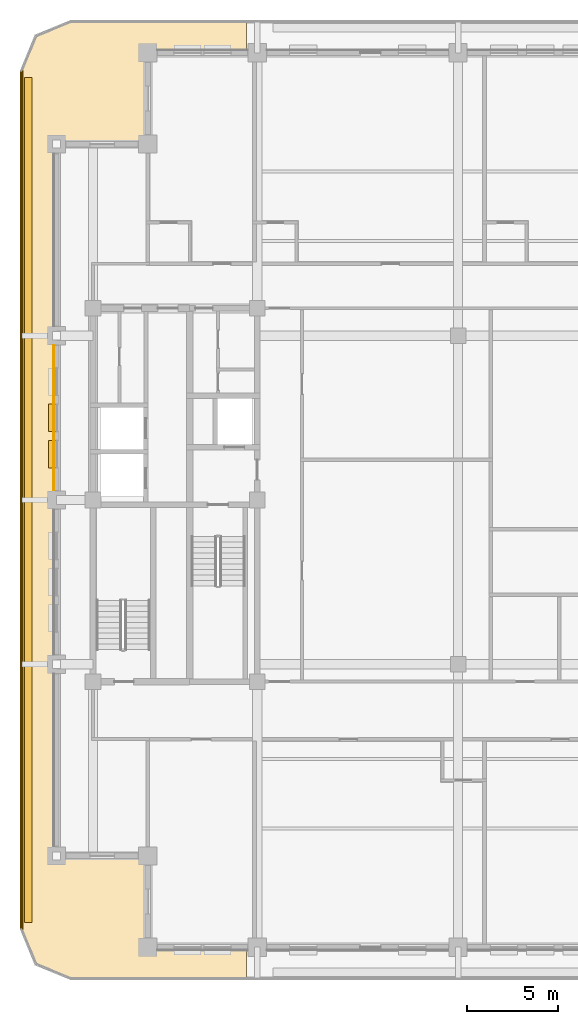
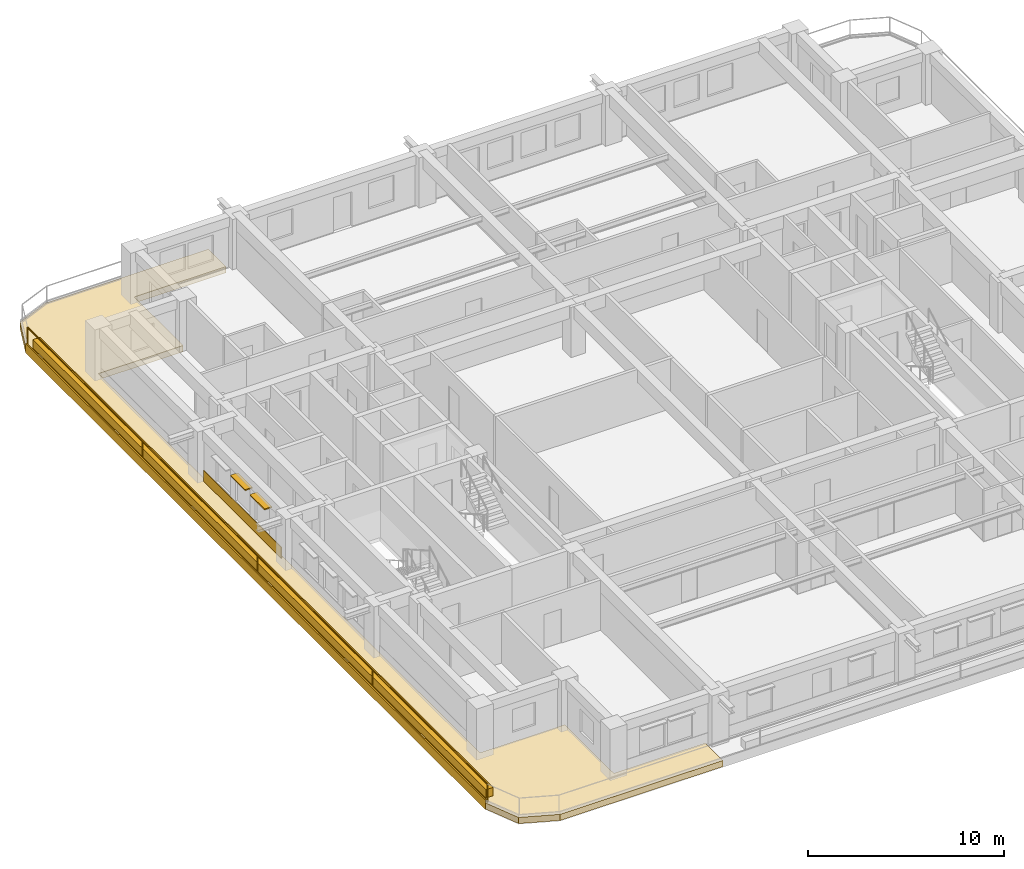
# One storey, part 10 of 14: 4 coverings, 2 shading devices, 1 railing.
"""IFC4 building model written with IfcOpenShell, lengths in metres."""

from ifc_helpers import new_model, si_unit, direction, frame, frame_2d, origin, origin_2d, place, context, subcontext, project, spatial, polyline, rectangle, outline, extrude, material, layer, layer_set, type_object, element, save


model = new_model("IFC4")

# Units and contexts
model_context = context("Model", 3, precision=1e-05, world=origin(), true_north=direction((0.0, 1.0)))
body_context = subcontext(model_context, "Body", "Model", "MODEL_VIEW")
ifc_project = project(units=[si_unit("LENGTHUNIT", "METRE"), si_unit("AREAUNIT", "SQUARE_METRE"), si_unit("VOLUMEUNIT", "CUBIC_METRE"), si_unit("PLANEANGLEUNIT", "RADIAN"), si_unit("MASSUNIT", "GRAM", prefix="KILO")], contexts=[model_context])

# Site, building, storey
site_placement = place(None, origin())
site = spatial("IfcSite", under=ifc_project, at=site_placement, CompositionType="ELEMENT")
building_placement = place(site_placement, origin())
building = spatial("IfcBuilding", under=site, at=building_placement, Name="Zulmaris Gate Convention Tower", CompositionType="ELEMENT")
storey_placement = place(building_placement, frame((0.0, 0.0, 162.659912109375)))
storey = spatial("IfcBuildingStorey", under=building, at=storey_placement, Name="L41", CompositionType="ELEMENT", Elevation=162.659912109375)

# Coverings
ifc_material_1 = material(Name="Precast concrete C40/50", Category="concrete")
ifc_layer_1 = layer(ifc_material_1, 0.0400390625, Name="Precast concrete C40/50")
ifc_layer_set_1 = layer_set([ifc_layer_1], Name="Precast concrete C40/50")
covering_type_1 = type_object("IfcCoveringType", Name="CLAD-SPANDREL-PRECAST", PredefinedType="CLADDING", material=ifc_layer_set_1)
covering_1_placement = place(storey_placement, frame((-22.14990234375, 8.469970703125, 0.0), z_axis=(0.0, 0.0, 1.0), x_axis=(0.0, -1.0, 0.0)))
element("IfcCovering", 1, at=covering_1_placement, inside=storey, type_object=covering_type_1, Name="CLD-L41-W-2_0", PredefinedType="CLADDING", context=body_context, shape_type="SweptSolid", body=[
    extrude(rectangle(XDim=7.93994140625, YDim=0.0400390625, at=frame_2d((3.969970703125, 0.0))), origin(), (0.0, 0.0, 1.0), 0.679931640625),
])
ifc_material_2 = material(Name="White Glazed Architectural Precast Concrete C40/50", Category="concrete")
ifc_layer_2 = layer(ifc_material_2, 0.239990234375, Name="White Glazed Architectural Precast Concrete C40/50")
ifc_layer_set_2 = layer_set([ifc_layer_2], Name="White Glazed Architectural Precast Concrete C40/50")
covering_type_2 = type_object("IfcCoveringType", Name="CLAD-TRAY-DECK", PredefinedType="CLADDING", material=ifc_layer_set_2)
covering_2_placement = place(storey_placement, frame((0.0, 0.0, -0.425048828125)))
element("IfcCovering", 2, at=covering_2_placement, inside=storey, type_object=covering_type_2, Name="L41 West Rounded-Fascia Planter Tray Deck", PredefinedType="CLADDING", context=body_context, shape_type="SweptSolid", body=[
    extrude(outline(polyline([(-24.0, 23.5), (-23.179931640625, 25.47998046875), (-21.199951171875, 26.300048828125), (-11.60205078125, 26.300048828125), (-11.60205078125, 24.5), (-17.0, 24.5), (-17.0, 19.5), (-22.0, 19.5), (-22.0, -19.5), (-17.0, -19.5), (-17.0, -24.5), (-11.60205078125, -24.5), (-11.60205078125, -26.300048828125), (-21.199951171875, -26.300048828125), (-23.179931640625, -25.47998046875), (-24.0, -23.5), (-24.0, 23.5)])), origin(), (0.0, 0.0, 1.0), 0.385009765625),
])
ifc_layer_3 = layer(ifc_material_2, 0.080078125, Name="White Glazed Architectural Precast Concrete C40/50")
ifc_layer_set_3 = layer_set([ifc_layer_3], Name="White Glazed Architectural Precast Concrete C40/50")
covering_type_3 = type_object("IfcCoveringType", Name="CLAD-TRAY-FASCIA", PredefinedType="CLADDING", material=ifc_layer_set_3)
covering_3_placement = place(storey_placement, frame((-23.9599609375, 23.5, -0.465087890625), z_axis=(0.0, 0.0, 1.0), x_axis=(0.0, -1.0, 0.0)))
element("IfcCovering", 3, at=covering_3_placement, inside=storey, type_object=covering_type_3, Name="FSC-L41-TR-11", PredefinedType="CLADDING", context=body_context, shape_type="SweptSolid", body=[
    extrude(rectangle(XDim=47.0, YDim=0.080078125, at=frame_2d((23.5, 0.0))), origin(), (0.0, 0.0, 1.0), 0.5849609375),
])
ifc_material_3 = material(Name="Botanical Green Glazed Precast Concrete C40/50", Category="concrete")
ifc_layer_4 = layer(ifc_material_3, 0.419921875, Name="Botanical Green Glazed Precast Concrete C40/50")
ifc_layer_set_4 = layer_set([ifc_layer_4], Name="Botanical Green Glazed Precast Concrete C40/50")
covering_type_4 = type_object("IfcCoveringType", Name="PLANTER-BOX-200", PredefinedType="CLADDING", material=ifc_layer_set_4)
covering_4_placement = place(storey_placement, frame((0.0, 0.0, -0.0400390625)))
element("IfcCovering", 4, at=covering_4_placement, inside=storey, type_object=covering_type_4, Name="L41 W Full-Length Balcony Tree Planter Trough", PredefinedType="CLADDING", context=body_context, shape_type="SweptSolid", body=[
    extrude(outline(polyline([(-23.760009765625, -23.14990234375), (-23.340087890625, -23.14990234375), (-23.340087890625, 23.14990234375), (-23.760009765625, 23.14990234375), (-23.760009765625, -23.14990234375)])), origin(), (0.0, 0.0, 1.0), 0.52001953125),
])

# Railing
ifc_material_4 = material(Name="Laminated Glass and Stainless Steel", Category="steel")
railing_type = type_object("IfcRailingType", Name="RL-BALC-1150", PredefinedType="BALUSTRADE", material=ifc_material_4)
railing_placement = place(storey_placement, frame((-23.8798828125, 23.5, -0.0400390625)))
element("IfcRailing", 5, at=railing_placement, inside=storey, type_object=railing_type, Name="RL-L41-BALC-W", PredefinedType="BALUSTRADE", context=body_context, shape_type="SweptSolid", body=[
    extrude(rectangle(XDim=0.048095703125, YDim=0.048095703125, at=origin_2d()), frame((0.0, 0.0, 1.1259765625), z_axis=(0.0, -1.0, 0.0), x_axis=(1.0, 0.0, 0.0)), (0.0, 0.0, 1.0), 47.0),
    extrude(rectangle(XDim=0.048095703125, YDim=0.048095703125, at=origin_2d()), frame((0.0, 0.0, 0.02392578125), z_axis=(0.0, -1.0, 0.0), x_axis=(1.0, 0.0, 0.0)), (0.0, 0.0, 1.0), 47.0),
    extrude(rectangle(XDim=0.0419921875, YDim=0.0419921875, at=origin_2d()), origin(), (0.0, 0.0, 1.0), 1.101806640625),
    extrude(rectangle(XDim=0.0419921875, YDim=0.0419921875, at=origin_2d()), frame((0.0, -11.75, 0.0)), (0.0, 0.0, 1.0), 1.101806640625),
    extrude(rectangle(XDim=0.0419921875, YDim=0.0419921875, at=origin_2d()), frame((0.0, -23.5, 0.0)), (0.0, 0.0, 1.0), 1.101806640625),
    extrude(rectangle(XDim=0.0419921875, YDim=0.0419921875, at=origin_2d()), frame((0.0, -35.25, 0.0)), (0.0, 0.0, 1.0), 1.101806640625),
    extrude(rectangle(XDim=0.0419921875, YDim=0.0419921875, at=origin_2d()), frame((0.0, -47.0, 0.0)), (0.0, 0.0, 1.0), 1.101806640625),
])

# Shading devices
ifc_material_5 = material(Name="Glazed Ceramic Terracotta", Category="masonry")
ifc_layer_5 = layer(ifc_material_5, 0.070068359375, Name="Glazed Ceramic Terracotta")
ifc_layer_set_5 = layer_set([ifc_layer_5], Name="Glazed Ceramic Terracotta")
shading_device_type = type_object("IfcShadingDeviceType", Name="SHD-SUNSHADE-TC", PredefinedType="AWNING", material=ifc_layer_set_5)
for number, where, z_axis, x_axis, name in (
    (6, (-22.219970703125, 5.25, 2.35009765625), (0.0, 0.0, 1.0), (0.0, -1.0, 0.0), "SHD-EW-L41-W-2_0-2"),
    (7, (-22.219970703125, 3.264892578125, 2.35009765625), (0.0, 0.0, 1.0), (0.0, -1.0, 0.0), "SHD-EW-L41-W-2_0-3"),
):
    element("IfcShadingDevice", number, at=place(storey_placement, frame(where, z_axis=z_axis, x_axis=x_axis)), inside=storey, type_object=shading_device_type, Name=name, PredefinedType="AWNING", context=body_context, shape_type="SweptSolid", body=[
        extrude(rectangle(XDim=1.5, YDim=0.43994140625, at=frame_2d((0.75, 0.0))), origin(), (0.0, 0.0, 1.0), 0.06982421875),
    ])

save(model, "model.ifc")
